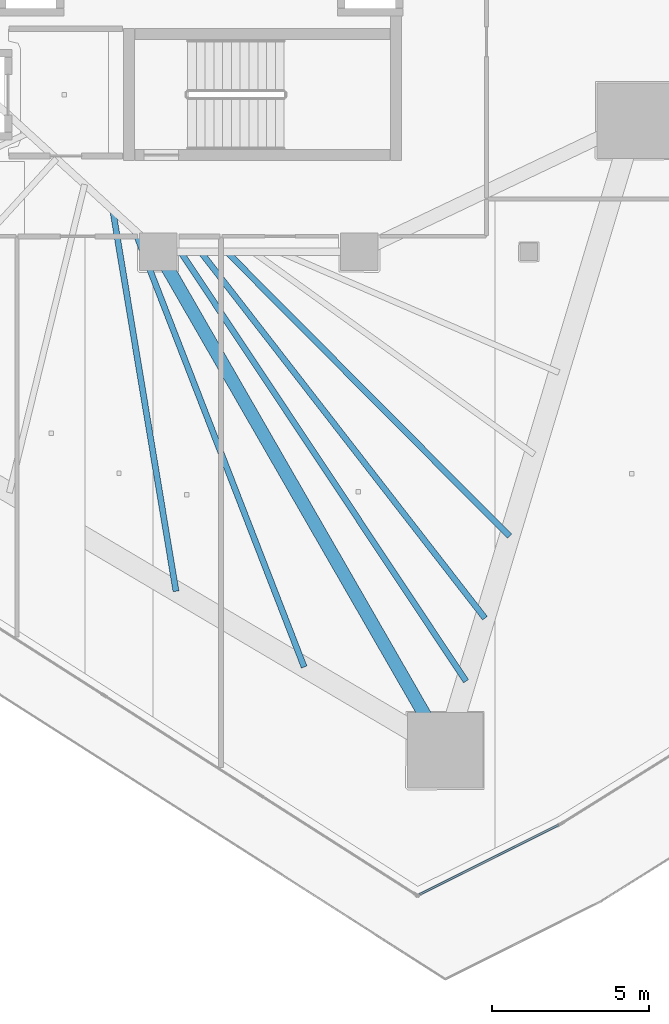
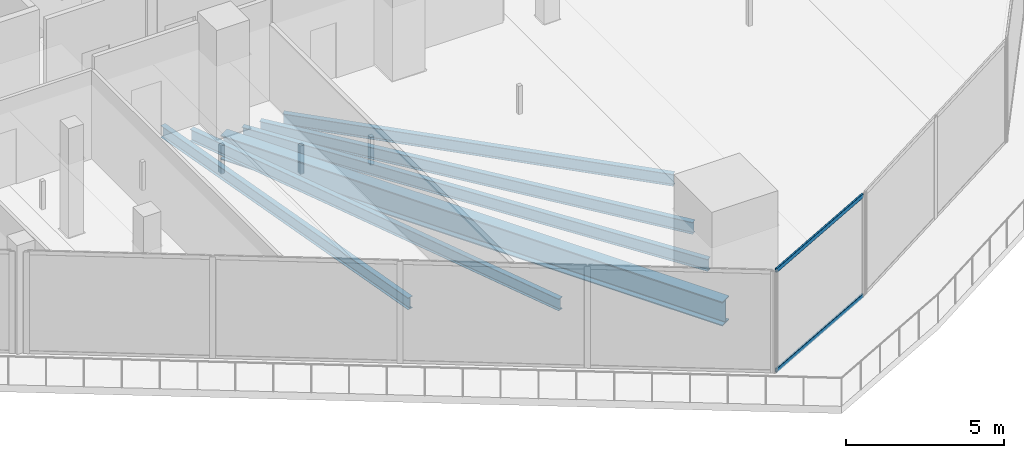
# One storey, part 8 of 47: 6 beams, 2 members, 1 element without a shape of its own.
"""IFC4 building model written with IfcOpenShell, lengths in metres."""

from ifc_helpers import new_model, si_unit, direction, frame, origin, origin_2d, place, context, subcontext, project, spatial, hollow_rectangle, i_section, extrude, material, layer, layer_set, material_profile, profile_set, type_object, element, aggregate, save


model = new_model("IFC4")

# Units and contexts
model_context = context("Model", 3, precision=1e-05, world=origin(), true_north=direction((0.0, 1.0)))
body_context = subcontext(model_context, "Body", "Model", "MODEL_VIEW")
ifc_project = project(units=[si_unit("LENGTHUNIT", "METRE"), si_unit("AREAUNIT", "SQUARE_METRE"), si_unit("VOLUMEUNIT", "CUBIC_METRE"), si_unit("PLANEANGLEUNIT", "RADIAN"), si_unit("MASSUNIT", "GRAM", prefix="KILO")], contexts=[model_context])

# Site, building, storey
site_placement = place(None, origin())
site = spatial("IfcSite", under=ifc_project, at=site_placement, CompositionType="ELEMENT")
building_placement = place(site_placement, origin())
building = spatial("IfcBuilding", under=site, at=building_placement, Name="Qorvath Tower", CompositionType="ELEMENT")
storey_placement = place(building_placement, frame((0.0, 0.0, 82.800048828125)))
storey = spatial("IfcBuildingStorey", under=building, at=storey_placement, Name="L18", CompositionType="ELEMENT", Elevation=82.800048828125)

# Beams
ifc_material_1 = material(Name="Steel ASTM A992 Grade 50", Category="steel")
ifc_material_profile_1 = material_profile(ifc_material_1, i_section(OverallWidth=0.422119140625, OverallDepth=0.93310546875, WebThickness=0.021240234375, FlangeThickness=0.039794921875, FilletRadius=0.02392578125, at=origin_2d()), Name="W36x262")
ifc_profile_set_1 = profile_set([ifc_material_profile_1], Name="Steel ASTM A992 Grade 50")
beam_type_1 = type_object("IfcBeamType", Name="BM-FG1", PredefinedType="BEAM", material=ifc_profile_set_1)
beam_1_placement = place(storey_placement, frame((-23.60009765625, -11.449951171875, -0.74658203125), z_axis=(0.498645367714, -0.866806089767, 0.0), x_axis=(0.866806089767, 0.498645367714, 0.0)))
element("IfcBeam", 1, at=beam_1_placement, inside=storey, type_object=beam_type_1, Name="Radial Floor Girder CC4-MC3 L18", PredefinedType="BEAM", context=body_context, shape_type="SweptSolid", body=[
    extrude(i_section(OverallWidth=0.422119140625, OverallDepth=0.93310546875, WebThickness=0.021240234375, FlangeThickness=0.039794921875, FilletRadius=0.02392578125, at=origin_2d()), origin(), (0.0, 0.0, 1.0), 18.321044921875),
])
ifc_material_2 = material(Name="Steel ASTM A992 Grade 50", Category="steel")
ifc_material_profile_2 = material_profile(ifc_material_2, i_section(OverallWidth=0.18994140625, OverallDepth=0.45703125, WebThickness=0.009033203125, FlangeThickness=0.014404296875, FilletRadius=0.011962890625, at=origin_2d()), Name="W18x50")
ifc_profile_set_2 = profile_set([ifc_material_profile_2], Name="Steel ASTM A992 Grade 50")
beam_type_2 = type_object("IfcBeamType", Name="BM-FJ2", PredefinedType="JOIST", material=ifc_profile_set_2)
beam_2_placement = place(storey_placement, frame((-21.424072265625, -11.449951171875, -0.508544921875), z_axis=(0.705107654599, -0.709100271771, 0.0), x_axis=(0.709100271771, 0.705107654599, 0.0)))
element("IfcBeam", 2, at=beam_2_placement, inside=storey, type_object=beam_type_2, Name="Composite Floor Joist SE5 L18", PredefinedType="JOIST", context=body_context, shape_type="SweptSolid", body=[
    extrude(i_section(OverallWidth=0.18994140625, OverallDepth=0.45703125, WebThickness=0.009033203125, FlangeThickness=0.014404296875, FilletRadius=0.011962890625, at=origin_2d()), origin(), (0.0, 0.0, 1.0), 12.780029296875),
])
beam_3_placement = place(storey_placement, frame((-22.256103515625, -11.449951171875, -0.508544921875), z_axis=(0.613206963859, -0.789922286984, 0.0), x_axis=(0.789922286984, 0.613206963859, 0.0)))
element("IfcBeam", 3, at=beam_3_placement, inside=storey, type_object=beam_type_2, Name="Composite Floor Joist SE6 L18", PredefinedType="JOIST", context=body_context, shape_type="SweptSolid", body=[
    extrude(i_section(OverallWidth=0.18994140625, OverallDepth=0.45703125, WebThickness=0.009033203125, FlangeThickness=0.014404296875, FilletRadius=0.011962890625, at=origin_2d()), origin(), (0.0, 0.0, 1.0), 14.77294921875),
])
beam_4_placement = place(storey_placement, frame((-22.89599609375, -11.449951171875, -0.508544921875), z_axis=(0.553811384989, -0.83264214994, 0.0), x_axis=(0.83264214994, 0.553811384989, 0.0)))
element("IfcBeam", 4, at=beam_4_placement, inside=storey, type_object=beam_type_2, Name="Composite Floor Joist SE7 L18", PredefinedType="JOIST", context=body_context, shape_type="SweptSolid", body=[
    extrude(i_section(OverallWidth=0.18994140625, OverallDepth=0.45703125, WebThickness=0.009033203125, FlangeThickness=0.014404296875, FilletRadius=0.011962890625, at=origin_2d()), origin(), (0.0, 0.0, 1.0), 16.42333984375),
])
beam_5_placement = place(storey_placement, frame((-25.049072265625, -10.126953125, -0.508544921875), z_axis=(0.163639384475, -0.98652022374, 0.0), x_axis=(0.98652022374, 0.163639384475, 0.0)))
element("IfcBeam", 5, at=beam_5_placement, inside=storey, type_object=beam_type_2, Name="Composite Floor Joist SW6 L18", PredefinedType="JOIST", context=body_context, shape_type="SweptSolid", body=[
    extrude(i_section(OverallWidth=0.18994140625, OverallDepth=0.45703125, WebThickness=0.009033203125, FlangeThickness=0.014404296875, FilletRadius=0.011962890625, at=origin_2d()), origin(), (0.0, 0.0, 1.0), 12.301025390625),
])
beam_6_placement = place(storey_placement, frame((-24.35888671875, -10.757080078125, -0.508544921875), z_axis=(0.361964096586, -0.93219203643, 0.0), x_axis=(0.93219203643, 0.361964096586, 0.0)))
element("IfcBeam", 6, at=beam_6_placement, inside=storey, type_object=beam_type_2, Name="Composite Floor Joist SW7 L18", PredefinedType="JOIST", context=body_context, shape_type="SweptSolid", body=[
    extrude(i_section(OverallWidth=0.18994140625, OverallDepth=0.45703125, WebThickness=0.009033203125, FlangeThickness=0.014404296875, FilletRadius=0.011962890625, at=origin_2d()), origin(), (0.0, 0.0, 1.0), 14.93115234375),
])

# Curtain wall, members
ifc_material_3 = material(Name="Anodised aluminium and triple low-E glass", Category="aluminium")
ifc_layer = layer(ifc_material_3, 0.179931640625)
ifc_layer_set = layer_set([ifc_layer], Name="CW-SYS-5")
curtain_wall_type = type_object("IfcCurtainWallType", Name="CW-SYS-5", PredefinedType="NOTDEFINED", material=ifc_layer_set)
curtain_wall_placement = place(storey_placement, origin())
curtain_wall = element("IfcCurtainWall", 7, at=curtain_wall_placement, inside=storey, type_object=curtain_wall_type, Name="Curtain Wall CW-5 CW-T-L18-7.1", PredefinedType="NOTDEFINED")
ifc_material_4 = material(Name="Anodised aluminium 6063-T6", Category="aluminium")
ifc_material_profile_3 = material_profile(ifc_material_4, hollow_rectangle(XDim=0.06494140625, YDim=0.159912109375, WallThickness=0.00341796875, InnerFilletRadius=0.00341796875, OuterFilletRadius=0.007080078125, at=origin_2d()), Name="CWT 160x65")
ifc_profile_set_3 = profile_set([ifc_material_profile_3], Name="Anodised aluminium 6063-T6")
member_type = type_object("IfcMemberType", Name="CWT-160", PredefinedType="USERDEFINED", material=ifc_profile_set_3)
member_1_placement = place(storey_placement, frame((-15.28173828125, -31.919677734375, 0.032470703125), z_axis=(0.894417333315, 0.447233310327, 0.0), x_axis=(-0.447233310327, 0.894417333315, 0.0)))
member_1 = element("IfcMember", 8, at=member_1_placement, type_object=member_type, Name="CW-5 transom 1.1", ObjectType="TRANSOM", PredefinedType="USERDEFINED", context=body_context, shape_type="SweptSolid", body=[
    extrude(hollow_rectangle(XDim=0.06494140625, YDim=0.159912109375, WallThickness=0.00341796875, InnerFilletRadius=0.00341796875, OuterFilletRadius=0.007080078125, at=origin_2d()), origin(), (0.0, 0.0, 1.0), 4.953369140625),
])
member_2_placement = place(storey_placement, frame((-15.28173828125, -31.919677734375, 3.887451171875), z_axis=(0.894417333315, 0.447233310327, 0.0), x_axis=(-0.447233310327, 0.894417333315, 0.0)))
member_2 = element("IfcMember", 9, at=member_2_placement, type_object=member_type, Name="CW-5 transom 1.2", ObjectType="TRANSOM", PredefinedType="USERDEFINED", context=body_context, shape_type="SweptSolid", body=[
    extrude(hollow_rectangle(XDim=0.06494140625, YDim=0.159912109375, WallThickness=0.00341796875, InnerFilletRadius=0.00341796875, OuterFilletRadius=0.007080078125, at=origin_2d()), origin(), (0.0, 0.0, 1.0), 4.953369140625),
])
aggregate(curtain_wall, [member_1, member_2])

save(model, "model.ifc")
